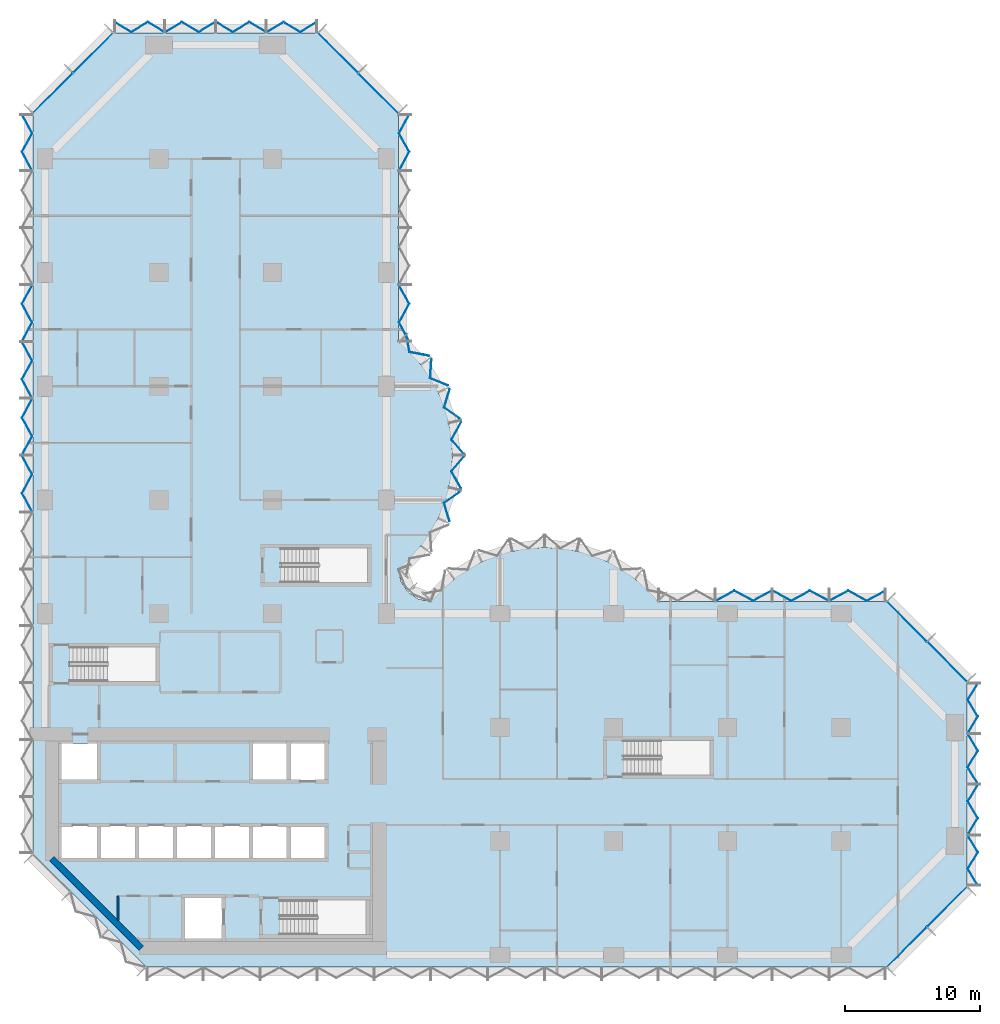
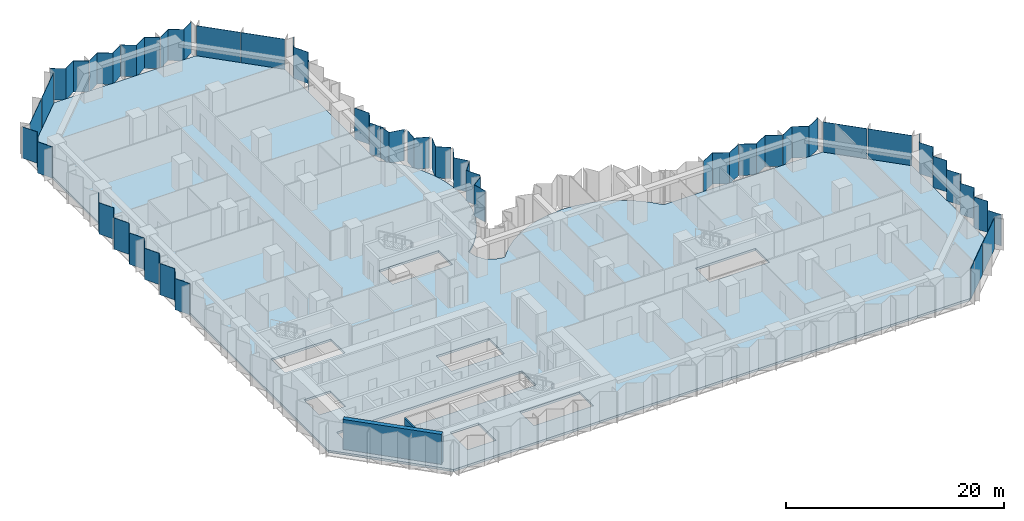
# One storey, part 6 of 15: 32 plates, 2 walls, 1 slab, 10 elements without a shape of their own.
"""IFC4 building model written with IfcOpenShell, lengths in metres."""

from ifc_helpers import new_model, si_unit, direction, frame, frame_2d, origin, place, context, subcontext, project, spatial, polyline, rectangle, outline, extrude, material, layer, layer_set, type_object, element, aggregate, save


model = new_model("IFC4")

# Units and contexts
model_context = context("Model", 3, precision=1e-05, world=origin(), true_north=direction((0.0, 1.0)))
body_context = subcontext(model_context, "Body", "Model", "MODEL_VIEW")
ifc_project = project(units=[si_unit("LENGTHUNIT", "METRE"), si_unit("AREAUNIT", "SQUARE_METRE"), si_unit("VOLUMEUNIT", "CUBIC_METRE"), si_unit("PLANEANGLEUNIT", "RADIAN"), si_unit("MASSUNIT", "GRAM", prefix="KILO")], contexts=[model_context])

# Site, building, storey
site_placement = place(None, origin())
site = spatial("IfcSite", under=ifc_project, at=site_placement, CompositionType="ELEMENT")
building_placement = place(site_placement, origin())
building = spatial("IfcBuilding", under=site, at=building_placement, Name="Brevane Broadcast Tower", CompositionType="ELEMENT")
storey_placement = place(building_placement, frame((0.0, 0.0, 43.699951171875)))
storey = spatial("IfcBuildingStorey", under=building, at=storey_placement, Name="L08", CompositionType="ELEMENT", Elevation=43.699951171875)

# Curtain wall, plates
ifc_material_1 = material(Name="Aluminium 6063-T6 bronze anodised", Category="aluminium")
curtain_wall_type = type_object("IfcCurtainWallType", Name="CW-1 curtain wall", PredefinedType="NOTDEFINED", material=ifc_material_1)
curtain_wall_1_placement = place(storey_placement, origin())
curtain_wall_1 = element("IfcCurtainWall", 1, at=curtain_wall_1_placement, inside=storey, type_object=curtain_wall_type, Name="CW-1 typical tilted unit L08 south-east chamfer", PredefinedType="NOTDEFINED")
ifc_material_2 = material(Name="Laminated glass bronze-tinted", Category="glass")
ifc_layer_1 = layer(ifc_material_2, 0.0400390625)
ifc_layer_set_1 = layer_set([ifc_layer_1], Name="CW tall glass panel 40")
plate_type = type_object("IfcPlateType", Name="CW tall glass panel 40", PredefinedType="CURTAIN_PANEL", material=ifc_layer_set_1)
plate_1_placement = place(storey_placement, frame((0.0, 0.0, -0.14990234375)))
plate_1 = element("IfcPlate", 2, at=plate_1_placement, type_object=plate_type, Name="CW-1 glass panel", PredefinedType="CURTAIN_PANEL", context=body_context, shape_type="SweptSolid", body=[
    extrude(outline(polyline([(62.14599609375, -0.896484375), (65.096435546875, 2.053955078125), (65.124755859375, 2.02587890625), (62.17431640625, -0.9248046875), (62.14599609375, -0.896484375)])), origin(), (0.0, 0.0, 1.0), 3.5),
])
plate_2_placement = place(storey_placement, frame((0.0, 0.0, -0.14990234375)))
plate_2 = element("IfcPlate", 3, at=plate_2_placement, type_object=plate_type, Name="CW-1 glass panel", PredefinedType="CURTAIN_PANEL", context=body_context, shape_type="SweptSolid", body=[
    extrude(outline(polyline([(65.14599609375, 2.103515625), (68.096435546875, 5.053955078125), (68.124755859375, 5.02587890625), (65.17431640625, 2.0751953125), (65.14599609375, 2.103515625)])), origin(), (0.0, 0.0, 1.0), 3.5),
])
aggregate(curtain_wall_1, [plate_1, plate_2])

curtain_wall_2_placement = place(storey_placement, origin())
curtain_wall_2 = element("IfcCurtainWall", 4, at=curtain_wall_2_placement, inside=storey, type_object=curtain_wall_type, Name="CW-1 typical tilted unit L08 east end", PredefinedType="NOTDEFINED")
plate_3_placement = place(storey_placement, frame((0.0, 0.0, -0.14990234375)))
plate_3 = element("IfcPlate", 5, at=plate_3_placement, type_object=plate_type, Name="CW-1 glass panel", PredefinedType="CURTAIN_PANEL", context=body_context, shape_type="SweptSolid", body=[
    extrude(outline(polyline([(68.87109375, 5.135009765625), (68.917724609375, 5.135009765625), (68.17333984375, 6.36181640625), (68.917724609375, 7.58837890625), (68.17333984375, 8.81494140625), (68.126708984375, 8.81494140625), (68.87109375, 7.58837890625), (68.126708984375, 6.36181640625), (68.87109375, 5.135009765625)])), origin(), (0.0, 0.0, 1.0), 3.5),
])
plate_4_placement = place(storey_placement, frame((0.0, 0.0, -0.14990234375)))
plate_4 = element("IfcPlate", 6, at=plate_4_placement, type_object=plate_type, Name="CW-1 glass panel", PredefinedType="CURTAIN_PANEL", context=body_context, shape_type="SweptSolid", body=[
    extrude(outline(polyline([(68.126708984375, 8.885009765625), (68.17333984375, 8.885009765625), (68.917724609375, 10.11181640625), (68.17333984375, 11.33837890625), (68.917724609375, 12.56494140625), (68.87109375, 12.56494140625), (68.126708984375, 11.33837890625), (68.87109375, 10.11181640625), (68.126708984375, 8.885009765625)])), origin(), (0.0, 0.0, 1.0), 3.5),
])
plate_5_placement = place(storey_placement, frame((0.0, 0.0, -0.14990234375)))
plate_5 = element("IfcPlate", 7, at=plate_5_placement, type_object=plate_type, Name="CW-1 glass panel", PredefinedType="CURTAIN_PANEL", context=body_context, shape_type="SweptSolid", body=[
    extrude(outline(polyline([(68.87109375, 12.635009765625), (68.917724609375, 12.635009765625), (68.17333984375, 13.86181640625), (68.917724609375, 15.08837890625), (68.17333984375, 16.31494140625), (68.126708984375, 16.31494140625), (68.87109375, 15.08837890625), (68.126708984375, 13.86181640625), (68.87109375, 12.635009765625)])), origin(), (0.0, 0.0, 1.0), 3.5),
])
plate_6_placement = place(storey_placement, frame((0.0, 0.0, -0.14990234375)))
plate_6 = element("IfcPlate", 8, at=plate_6_placement, type_object=plate_type, Name="CW-1 glass panel", PredefinedType="CURTAIN_PANEL", context=body_context, shape_type="SweptSolid", body=[
    extrude(outline(polyline([(68.126708984375, 16.385009765625), (68.17333984375, 16.385009765625), (68.917724609375, 17.61181640625), (68.17333984375, 18.83837890625), (68.917724609375, 20.06494140625), (68.87109375, 20.06494140625), (68.126708984375, 18.83837890625), (68.87109375, 17.61181640625), (68.126708984375, 16.385009765625)])), origin(), (0.0, 0.0, 1.0), 3.5),
])
aggregate(curtain_wall_2, [plate_3, plate_4, plate_5, plate_6])

curtain_wall_3_placement = place(storey_placement, origin())
curtain_wall_3 = element("IfcCurtainWall", 9, at=curtain_wall_3_placement, inside=storey, type_object=curtain_wall_type, Name="CW-1 typical tilted unit L08 north-east chamfer", PredefinedType="NOTDEFINED")
plate_7_placement = place(storey_placement, frame((0.0, 0.0, -0.14990234375)))
plate_7 = element("IfcPlate", 10, at=plate_7_placement, type_object=plate_type, Name="CW-1 glass panel", PredefinedType="CURTAIN_PANEL", context=body_context, shape_type="SweptSolid", body=[
    extrude(outline(polyline([(68.096435546875, 20.14599609375), (65.14599609375, 23.096435546875), (65.17431640625, 23.124755859375), (68.124755859375, 20.17431640625), (68.096435546875, 20.14599609375)])), origin(), (0.0, 0.0, 1.0), 3.5),
])
plate_8_placement = place(storey_placement, frame((0.0, 0.0, -0.14990234375)))
plate_8 = element("IfcPlate", 11, at=plate_8_placement, type_object=plate_type, Name="CW-1 glass panel", PredefinedType="CURTAIN_PANEL", context=body_context, shape_type="SweptSolid", body=[
    extrude(outline(polyline([(65.096435546875, 23.14599609375), (62.14599609375, 26.096435546875), (62.17431640625, 26.124755859375), (65.124755859375, 23.17431640625), (65.096435546875, 23.14599609375)])), origin(), (0.0, 0.0, 1.0), 3.5),
])
aggregate(curtain_wall_3, [plate_7, plate_8])

curtain_wall_4_placement = place(storey_placement, origin())
curtain_wall_4 = element("IfcCurtainWall", 12, at=curtain_wall_4_placement, inside=storey, type_object=curtain_wall_type, Name="CW-1 typical tilted unit L08 east arm north face", PredefinedType="NOTDEFINED")
plate_9_placement = place(storey_placement, frame((0.0, 0.0, -0.14990234375)))
plate_9 = element("IfcPlate", 13, at=plate_9_placement, type_object=plate_type, Name="CW-1 glass panel", PredefinedType="CURTAIN_PANEL", context=body_context, shape_type="SweptSolid", body=[
    extrude(outline(polyline([(62.06494140625, 26.87158203125), (62.06494140625, 26.9169921875), (60.688232421875, 26.172607421875), (59.311767578125, 26.9169921875), (57.93505859375, 26.172607421875), (57.93505859375, 26.127197265625), (59.311767578125, 26.87158203125), (60.688232421875, 26.127197265625), (62.06494140625, 26.87158203125)])), origin(), (0.0, 0.0, 1.0), 3.5),
])
plate_10_placement = place(storey_placement, frame((0.0, 0.0, -0.14990234375)))
plate_10 = element("IfcPlate", 14, at=plate_10_placement, type_object=plate_type, Name="CW-1 glass panel", PredefinedType="CURTAIN_PANEL", context=body_context, shape_type="SweptSolid", body=[
    extrude(outline(polyline([(57.864990234375, 26.127197265625), (57.864990234375, 26.172607421875), (56.48828125, 26.9169921875), (55.11181640625, 26.172607421875), (53.735107421875, 26.9169921875), (53.735107421875, 26.87158203125), (55.11181640625, 26.127197265625), (56.48828125, 26.87158203125), (57.864990234375, 26.127197265625)])), origin(), (0.0, 0.0, 1.0), 3.5),
])
plate_11_placement = place(storey_placement, frame((0.0, 0.0, -0.14990234375)))
plate_11 = element("IfcPlate", 15, at=plate_11_placement, type_object=plate_type, Name="CW-1 glass panel", PredefinedType="CURTAIN_PANEL", context=body_context, shape_type="SweptSolid", body=[
    extrude(outline(polyline([(53.6650390625, 26.87158203125), (53.6650390625, 26.9169921875), (52.288330078125, 26.172607421875), (50.91162109375, 26.9169921875), (49.534912109375, 26.172607421875), (49.534912109375, 26.127197265625), (50.91162109375, 26.87158203125), (52.288330078125, 26.127197265625), (53.6650390625, 26.87158203125)])), origin(), (0.0, 0.0, 1.0), 3.5),
])
aggregate(curtain_wall_4, [plate_9, plate_10, plate_11])

curtain_wall_5_placement = place(storey_placement, origin())
curtain_wall_5 = element("IfcCurtainWall", 16, at=curtain_wall_5_placement, inside=storey, type_object=curtain_wall_type, Name="CW-1 typical tilted unit L08 north bow", PredefinedType="NOTDEFINED")
plate_12_placement = place(storey_placement, frame((0.0, 0.0, -0.14990234375)))
plate_12 = element("IfcPlate", 17, at=plate_12_placement, type_object=plate_type, Name="CW-1 glass panel", PredefinedType="CURTAIN_PANEL", context=body_context, shape_type="SweptSolid", body=[
    extrude(outline(polyline([(29.851806640625, 32.044677734375), (29.900634765625, 32.021484375), (29.494384765625, 33.364501953125), (30.622802734375, 34.167236328125), (30.57080078125, 34.17919921875), (29.44775390625, 33.380615234375), (29.851806640625, 32.044677734375)])), origin(), (0.0, 0.0, 1.0), 3.5),
])
plate_13_placement = place(storey_placement, frame((0.0, 0.0, -0.14990234375)))
plate_13 = element("IfcPlate", 18, at=plate_13_placement, type_object=plate_type, Name="CW-1 glass panel", PredefinedType="CURTAIN_PANEL", context=body_context, shape_type="SweptSolid", body=[
    extrude(outline(polyline([(30.68798828125, 34.483642578125), (30.740478515625, 34.4716796875), (30.036376953125, 35.730224609375), (30.94921875, 36.7919921875), (30.896484375, 36.7919921875), (29.98779296875, 35.735107421875), (30.68798828125, 34.483642578125)])), origin(), (0.0, 0.0, 1.0), 3.5),
])
plate_14_placement = place(storey_placement, frame((0.0, 0.0, -0.14990234375)))
plate_14 = element("IfcPlate", 19, at=plate_14_placement, type_object=plate_type, Name="CW-1 glass panel", PredefinedType="CURTAIN_PANEL", context=body_context, shape_type="SweptSolid", body=[
    extrude(outline(polyline([(30.896484375, 37.008056640625), (30.94921875, 37.008056640625), (30.036376953125, 38.069580078125), (30.740478515625, 39.328369140625), (30.68798828125, 39.31640625), (29.98779296875, 38.064697265625), (30.896484375, 37.008056640625)])), origin(), (0.0, 0.0, 1.0), 3.5),
])
plate_15_placement = place(storey_placement, frame((0.0, 0.0, -0.14990234375)))
plate_15 = element("IfcPlate", 20, at=plate_15_placement, type_object=plate_type, Name="CW-1 glass panel", PredefinedType="CURTAIN_PANEL", context=body_context, shape_type="SweptSolid", body=[
    extrude(outline(polyline([(30.57080078125, 39.62060546875), (30.622802734375, 39.6328125), (29.494384765625, 40.435546875), (29.900634765625, 41.778564453125), (29.851806640625, 41.75537109375), (29.44775390625, 40.41943359375), (30.57080078125, 39.62060546875)])), origin(), (0.0, 0.0, 1.0), 3.5),
])
plate_16_placement = place(storey_placement, frame((0.0, 0.0, -0.14990234375)))
plate_16 = element("IfcPlate", 21, at=plate_16_placement, type_object=plate_type, Name="CW-1 glass panel", PredefinedType="CURTAIN_PANEL", context=body_context, shape_type="SweptSolid", body=[
    extrude(outline(polyline([(29.712890625, 42.046875), (29.76171875, 42.0703125), (28.462890625, 42.601318359375), (28.551025390625, 43.9833984375), (28.5087890625, 43.950439453125), (28.42138671875, 42.5751953125), (29.712890625, 42.046875)])), origin(), (0.0, 0.0, 1.0), 3.5),
])
plate_17_placement = place(storey_placement, frame((0.0, 0.0, -0.14990234375)))
plate_17 = element("IfcPlate", 22, at=plate_17_placement, type_object=plate_type, Name="CW-1 glass panel", PredefinedType="CURTAIN_PANEL", context=body_context, shape_type="SweptSolid", body=[
    extrude(outline(polyline([(28.34375, 44.231201171875), (28.3857421875, 44.263916015625), (26.9423828125, 44.539306640625), (26.690185546875, 45.82470703125), (26.656005859375, 45.79150390625), (26.908203125, 44.5048828125), (28.34375, 44.231201171875)])), origin(), (0.0, 0.0, 1.0), 3.5),
])
aggregate(curtain_wall_5, [plate_12, plate_13, plate_14, plate_15, plate_16, plate_17])

curtain_wall_6_placement = place(storey_placement, origin())
curtain_wall_6 = element("IfcCurtainWall", 23, at=curtain_wall_6_placement, inside=storey, type_object=curtain_wall_type, Name="CW-1 typical tilted unit L08 north arm east face", PredefinedType="NOTDEFINED")
plate_18_placement = place(storey_placement, frame((0.0, 0.0, -0.14990234375)))
plate_18 = element("IfcPlate", 24, at=plate_18_placement, type_object=plate_type, Name="CW-1 glass panel", PredefinedType="CURTAIN_PANEL", context=body_context, shape_type="SweptSolid", body=[
    extrude(outline(polyline([(26.87158203125, 45.3349609375), (26.9169921875, 45.3349609375), (26.172607421875, 46.711669921875), (26.9169921875, 48.08837890625), (26.172607421875, 49.465087890625), (26.127197265625, 49.465087890625), (26.87158203125, 48.08837890625), (26.127197265625, 46.711669921875), (26.87158203125, 45.3349609375)])), origin(), (0.0, 0.0, 1.0), 3.5),
])
plate_19_placement = place(storey_placement, frame((0.0, 0.0, -0.14990234375)))
plate_19 = element("IfcPlate", 25, at=plate_19_placement, type_object=plate_type, Name="CW-1 glass panel", PredefinedType="CURTAIN_PANEL", context=body_context, shape_type="SweptSolid", body=[
    extrude(outline(polyline([(26.127197265625, 57.93505859375), (26.172607421875, 57.93505859375), (26.9169921875, 59.311767578125), (26.172607421875, 60.688232421875), (26.9169921875, 62.06494140625), (26.87158203125, 62.06494140625), (26.127197265625, 60.688232421875), (26.87158203125, 59.311767578125), (26.127197265625, 57.93505859375)])), origin(), (0.0, 0.0, 1.0), 3.5),
])
aggregate(curtain_wall_6, [plate_18, plate_19])

curtain_wall_7_placement = place(storey_placement, origin())
curtain_wall_7 = element("IfcCurtainWall", 26, at=curtain_wall_7_placement, inside=storey, type_object=curtain_wall_type, Name="CW-1 typical tilted unit L08 north arm north-east chamfer", PredefinedType="NOTDEFINED")
plate_20_placement = place(storey_placement, frame((0.0, 0.0, -0.14990234375)))
plate_20 = element("IfcPlate", 27, at=plate_20_placement, type_object=plate_type, Name="CW-1 glass panel", PredefinedType="CURTAIN_PANEL", context=body_context, shape_type="SweptSolid", body=[
    extrude(outline(polyline([(26.096435546875, 62.14599609375), (23.14599609375, 65.096435546875), (23.17431640625, 65.124755859375), (26.124755859375, 62.17431640625), (26.096435546875, 62.14599609375)])), origin(), (0.0, 0.0, 1.0), 3.5),
])
plate_21_placement = place(storey_placement, frame((0.0, 0.0, -0.14990234375)))
plate_21 = element("IfcPlate", 28, at=plate_21_placement, type_object=plate_type, Name="CW-1 glass panel", PredefinedType="CURTAIN_PANEL", context=body_context, shape_type="SweptSolid", body=[
    extrude(outline(polyline([(23.096435546875, 65.14599609375), (20.14599609375, 68.096435546875), (20.17431640625, 68.124755859375), (23.124755859375, 65.17431640625), (23.096435546875, 65.14599609375)])), origin(), (0.0, 0.0, 1.0), 3.5),
])
aggregate(curtain_wall_7, [plate_20, plate_21])

curtain_wall_8_placement = place(storey_placement, origin())
curtain_wall_8 = element("IfcCurtainWall", 29, at=curtain_wall_8_placement, inside=storey, type_object=curtain_wall_type, Name="CW-1 typical tilted unit L08 north end", PredefinedType="NOTDEFINED")
plate_22_placement = place(storey_placement, frame((0.0, 0.0, -0.14990234375)))
plate_22 = element("IfcPlate", 30, at=plate_22_placement, type_object=plate_type, Name="CW-1 glass panel", PredefinedType="CURTAIN_PANEL", context=body_context, shape_type="SweptSolid", body=[
    extrude(outline(polyline([(20.06494140625, 68.87109375), (20.06494140625, 68.917724609375), (18.83837890625, 68.17333984375), (17.61181640625, 68.917724609375), (16.385009765625, 68.17333984375), (16.385009765625, 68.126708984375), (17.61181640625, 68.87109375), (18.83837890625, 68.126708984375), (20.06494140625, 68.87109375)])), origin(), (0.0, 0.0, 1.0), 3.5),
])
plate_23_placement = place(storey_placement, frame((0.0, 0.0, -0.14990234375)))
plate_23 = element("IfcPlate", 31, at=plate_23_placement, type_object=plate_type, Name="CW-1 glass panel", PredefinedType="CURTAIN_PANEL", context=body_context, shape_type="SweptSolid", body=[
    extrude(outline(polyline([(16.31494140625, 68.126708984375), (16.31494140625, 68.17333984375), (15.08837890625, 68.917724609375), (13.86181640625, 68.17333984375), (12.635009765625, 68.917724609375), (12.635009765625, 68.87109375), (13.86181640625, 68.126708984375), (15.08837890625, 68.87109375), (16.31494140625, 68.126708984375)])), origin(), (0.0, 0.0, 1.0), 3.5),
])
plate_24_placement = place(storey_placement, frame((0.0, 0.0, -0.14990234375)))
plate_24 = element("IfcPlate", 32, at=plate_24_placement, type_object=plate_type, Name="CW-1 glass panel", PredefinedType="CURTAIN_PANEL", context=body_context, shape_type="SweptSolid", body=[
    extrude(outline(polyline([(12.56494140625, 68.87109375), (12.56494140625, 68.917724609375), (11.33837890625, 68.17333984375), (10.11181640625, 68.917724609375), (8.885009765625, 68.17333984375), (8.885009765625, 68.126708984375), (10.11181640625, 68.87109375), (11.33837890625, 68.126708984375), (12.56494140625, 68.87109375)])), origin(), (0.0, 0.0, 1.0), 3.5),
])
plate_25_placement = place(storey_placement, frame((0.0, 0.0, -0.14990234375)))
plate_25 = element("IfcPlate", 33, at=plate_25_placement, type_object=plate_type, Name="CW-1 glass panel", PredefinedType="CURTAIN_PANEL", context=body_context, shape_type="SweptSolid", body=[
    extrude(outline(polyline([(8.81494140625, 68.126708984375), (8.81494140625, 68.17333984375), (7.58837890625, 68.917724609375), (6.36181640625, 68.17333984375), (5.135009765625, 68.917724609375), (5.135009765625, 68.87109375), (6.36181640625, 68.126708984375), (7.58837890625, 68.87109375), (8.81494140625, 68.126708984375)])), origin(), (0.0, 0.0, 1.0), 3.5),
])
aggregate(curtain_wall_8, [plate_22, plate_23, plate_24, plate_25])

curtain_wall_9_placement = place(storey_placement, origin())
curtain_wall_9 = element("IfcCurtainWall", 34, at=curtain_wall_9_placement, inside=storey, type_object=curtain_wall_type, Name="CW-1 typical tilted unit L08 north-west chamfer", PredefinedType="NOTDEFINED")
plate_26_placement = place(storey_placement, frame((0.0, 0.0, -0.14990234375)))
plate_26 = element("IfcPlate", 35, at=plate_26_placement, type_object=plate_type, Name="CW-1 glass panel", PredefinedType="CURTAIN_PANEL", context=body_context, shape_type="SweptSolid", body=[
    extrude(outline(polyline([(5.053955078125, 68.096435546875), (2.103515625, 65.14599609375), (2.0751953125, 65.17431640625), (5.02587890625, 68.124755859375), (5.053955078125, 68.096435546875)])), origin(), (0.0, 0.0, 1.0), 3.5),
])
plate_27_placement = place(storey_placement, frame((0.0, 0.0, -0.14990234375)))
plate_27 = element("IfcPlate", 36, at=plate_27_placement, type_object=plate_type, Name="CW-1 glass panel", PredefinedType="CURTAIN_PANEL", context=body_context, shape_type="SweptSolid", body=[
    extrude(outline(polyline([(2.053955078125, 65.096435546875), (-0.896484375, 62.14599609375), (-0.9248046875, 62.17431640625), (2.02587890625, 65.124755859375), (2.053955078125, 65.096435546875)])), origin(), (0.0, 0.0, 1.0), 3.5),
])
aggregate(curtain_wall_9, [plate_26, plate_27])

curtain_wall_10_placement = place(storey_placement, origin())
curtain_wall_10 = element("IfcCurtainWall", 37, at=curtain_wall_10_placement, inside=storey, type_object=curtain_wall_type, Name="CW-1 typical tilted unit L08 west face", PredefinedType="NOTDEFINED")
plate_28_placement = place(storey_placement, frame((0.0, 0.0, -0.14990234375)))
plate_28 = element("IfcPlate", 38, at=plate_28_placement, type_object=plate_type, Name="CW-1 glass panel", PredefinedType="CURTAIN_PANEL", context=body_context, shape_type="SweptSolid", body=[
    extrude(outline(polyline([(-1.671630859375, 62.06494140625), (-1.717041015625, 62.06494140625), (-0.97265625, 60.688232421875), (-1.717041015625, 59.311767578125), (-0.97265625, 57.93505859375), (-0.92724609375, 57.93505859375), (-1.671630859375, 59.311767578125), (-0.92724609375, 60.688232421875), (-1.671630859375, 62.06494140625)])), origin(), (0.0, 0.0, 1.0), 3.5),
])
plate_29_placement = place(storey_placement, frame((0.0, 0.0, -0.14990234375)))
plate_29 = element("IfcPlate", 39, at=plate_29_placement, type_object=plate_type, Name="CW-1 glass panel", PredefinedType="CURTAIN_PANEL", context=body_context, shape_type="SweptSolid", body=[
    extrude(outline(polyline([(-0.92724609375, 49.465087890625), (-0.97265625, 49.465087890625), (-1.717041015625, 48.08837890625), (-0.97265625, 46.711669921875), (-1.717041015625, 45.3349609375), (-1.671630859375, 45.3349609375), (-0.92724609375, 46.711669921875), (-1.671630859375, 48.08837890625), (-0.92724609375, 49.465087890625)])), origin(), (0.0, 0.0, 1.0), 3.5),
])
plate_30_placement = place(storey_placement, frame((0.0, 0.0, -0.14990234375)))
plate_30 = element("IfcPlate", 40, at=plate_30_placement, type_object=plate_type, Name="CW-1 glass panel", PredefinedType="CURTAIN_PANEL", context=body_context, shape_type="SweptSolid", body=[
    extrude(outline(polyline([(-1.671630859375, 45.264892578125), (-1.717041015625, 45.264892578125), (-0.97265625, 43.88818359375), (-1.717041015625, 42.51171875), (-0.97265625, 41.135009765625), (-0.92724609375, 41.135009765625), (-1.671630859375, 42.51171875), (-0.92724609375, 43.88818359375), (-1.671630859375, 45.264892578125)])), origin(), (0.0, 0.0, 1.0), 3.5),
])
plate_31_placement = place(storey_placement, frame((0.0, 0.0, -0.14990234375)))
plate_31 = element("IfcPlate", 41, at=plate_31_placement, type_object=plate_type, Name="CW-1 glass panel", PredefinedType="CURTAIN_PANEL", context=body_context, shape_type="SweptSolid", body=[
    extrude(outline(polyline([(-0.92724609375, 41.06494140625), (-0.97265625, 41.06494140625), (-1.717041015625, 39.688232421875), (-0.97265625, 38.311767578125), (-1.717041015625, 36.93505859375), (-1.671630859375, 36.93505859375), (-0.92724609375, 38.311767578125), (-1.671630859375, 39.688232421875), (-0.92724609375, 41.06494140625)])), origin(), (0.0, 0.0, 1.0), 3.5),
])
plate_32_placement = place(storey_placement, frame((0.0, 0.0, -0.14990234375)))
plate_32 = element("IfcPlate", 42, at=plate_32_placement, type_object=plate_type, Name="CW-1 glass panel", PredefinedType="CURTAIN_PANEL", context=body_context, shape_type="SweptSolid", body=[
    extrude(outline(polyline([(-1.671630859375, 36.864990234375), (-1.717041015625, 36.864990234375), (-0.97265625, 35.48828125), (-1.717041015625, 34.11181640625), (-0.97265625, 32.735107421875), (-0.92724609375, 32.735107421875), (-1.671630859375, 34.11181640625), (-0.92724609375, 35.48828125), (-1.671630859375, 36.864990234375)])), origin(), (0.0, 0.0, 1.0), 3.5),
])
aggregate(curtain_wall_10, [plate_28, plate_29, plate_30, plate_31, plate_32])

# Slab
ifc_material_3 = material(Name="Concrete C40/50", Category="concrete")
ifc_layer_2 = layer(ifc_material_3, 0.25)
ifc_layer_set_2 = layer_set([ifc_layer_2], Name="RC FLOOR SLAB 250 C40/50")
slab_type = type_object("IfcSlabType", Name="RC FLOOR SLAB 250 C40/50", PredefinedType="FLOOR", material=ifc_layer_set_2)
slab_placement = place(storey_placement, frame((0.0, 0.0, -0.25)))
element("IfcSlab", 43, at=slab_placement, inside=storey, type_object=slab_type, Name="SL250 L08", PredefinedType="FLOOR", context=body_context, shape_type="SweptSolid", body=[
    extrude(outline(polyline([(-0.89990234375, 7.5), (-0.89990234375, 62.10009765625), (5.10009765625, 68.10009765625), (20.10009765625, 68.10009765625), (26.10009765625, 62.10009765625), (26.10009765625, 45.300048828125), (27.10888671875, 44.36865234375), (27.99169921875, 43.317138671875), (28.734130859375, 42.162353515625), (29.324462890625, 40.922607421875), (29.7529296875, 39.618408203125), (30.012939453125, 38.270263671875), (30.10009765625, 36.89990234375), (30.012939453125, 35.52978515625), (29.7529296875, 34.181640625), (29.324462890625, 32.877197265625), (28.734130859375, 31.6376953125), (27.99169921875, 30.48291015625), (27.10888671875, 29.431396484375), (26.10009765625, 28.5), (26.28271484375, 27.58154296875), (26.802978515625, 26.802978515625), (27.58154296875, 26.28271484375), (28.5, 26.10009765625), (29.431396484375, 27.10888671875), (30.48291015625, 27.99169921875), (31.6376953125, 28.734130859375), (32.877197265625, 29.324462890625), (34.181640625, 29.7529296875), (35.52978515625, 30.012939453125), (36.89990234375, 30.10009765625), (38.270263671875, 30.012939453125), (39.618408203125, 29.7529296875), (40.922607421875, 29.324462890625), (42.162353515625, 28.734130859375), (43.317138671875, 27.99169921875), (44.36865234375, 27.10888671875), (45.300048828125, 26.10009765625), (62.10009765625, 26.10009765625), (68.10009765625, 20.10009765625), (68.10009765625, 5.10009765625), (62.10009765625, -0.89990234375), (7.5, -0.89990234375), (-0.89990234375, 7.5)]), holes=[polyline([(13.199951171875, 4.39990234375), (10.199951171875, 4.39990234375), (10.199951171875, 1.199951171875), (13.199951171875, 1.199951171875), (13.199951171875, 4.39990234375)]), polyline([(4.0, 9.60009765625), (1.199951171875, 9.60009765625), (1.199951171875, 7.0), (4.0, 7.0), (6.800048828125, 7.0), (9.60009765625, 7.0), (12.39990234375, 7.0), (15.199951171875, 7.0), (18.0, 7.0), (20.800048828125, 7.0), (20.800048828125, 9.60009765625), (18.0, 9.60009765625), (15.199951171875, 9.60009765625), (12.39990234375, 9.60009765625), (9.60009765625, 9.60009765625), (6.800048828125, 9.60009765625), (4.0, 9.60009765625)]), polyline([(4.0, 12.800048828125), (4.0, 15.60009765625), (1.199951171875, 15.60009765625), (1.199951171875, 12.800048828125), (4.0, 12.800048828125)]), polyline([(8.199951171875, 22.75), (1.860107421875, 22.75), (1.860107421875, 20.199951171875), (8.199951171875, 20.199951171875), (8.199951171875, 22.75)]), polyline([(23.699951171875, 4.050048828125), (17.360107421875, 4.050048828125), (17.360107421875, 1.5), (23.699951171875, 1.5), (23.699951171875, 4.050048828125)]), polyline([(18.0, 15.60009765625), (15.199951171875, 15.60009765625), (15.199951171875, 12.800048828125), (18.0, 12.800048828125), (20.800048828125, 12.800048828125), (20.800048828125, 15.60009765625), (18.0, 15.60009765625)]), polyline([(49.10009765625, 15.85009765625), (42.760009765625, 15.85009765625), (42.760009765625, 13.300048828125), (49.10009765625, 13.300048828125), (49.10009765625, 15.85009765625)]), polyline([(23.800048828125, 30.050048828125), (17.4599609375, 30.050048828125), (17.4599609375, 27.5), (23.800048828125, 27.5), (23.800048828125, 30.050048828125)])]), origin(), (0.0, 0.0, 1.0), 0.25),
])

# Walls
ifc_material_4 = material(Name="Gypsum board on steel studs", Category="steel")
ifc_layer_3 = layer(ifc_material_4, 0.14990234375)
ifc_layer_set_3 = layer_set([ifc_layer_3], Name="Core fire partition 150 mm")
wall_type_1 = type_object("IfcWallType", Name="Core fire partition 150 mm", PredefinedType="PARTITIONING", material=ifc_layer_set_3)
wall_1_placement = place(storey_placement, frame((5.39990234375, 2.553466796875, 0.0), z_axis=(0.0, 0.0, 1.0), x_axis=(0.0, 1.0, 0.0)))
element("IfcWall", 44, at=wall_1_placement, inside=storey, type_object=wall_type_1, Name="L08 partition wall P10", PredefinedType="PARTITIONING", context=body_context, shape_type="SweptSolid", body=[
    extrude(rectangle(XDim=1.796630859375, YDim=0.14990234375, at=frame_2d((0.8984375, 0.0))), origin(), (0.0, 0.0, 1.0), 3.35009765625),
])
ifc_material_5 = material(Name="Concrete C80/95", Category="concrete")
ifc_layer_4 = layer(ifc_material_5, 0.449951171875)
ifc_layer_set_4 = layer_set([ifc_layer_4], Name="Core wall 450 mm C80/95")
wall_type_2 = type_object("IfcWallType", Name="Core wall 450 mm C80/95", PredefinedType="SHEAR", material=ifc_layer_set_4)
wall_2_placement = place(storey_placement, frame((0.5, 7.1181640625, 0.0), z_axis=(0.0, 0.0, 1.0), x_axis=(0.707106781187, -0.707106781187, 0.0)))
element("IfcWall", 45, at=wall_2_placement, inside=storey, type_object=wall_type_2, Name="L08 outer wall WC", PredefinedType="SHEAR", context=body_context, shape_type="SweptSolid", body=[
    extrude(rectangle(XDim=9.359619140625, YDim=0.449951171875, at=frame_2d((4.6796875, 0.0))), origin(), (0.0, 0.0, 1.0), 3.35009765625),
])

save(model, "model.ifc")
